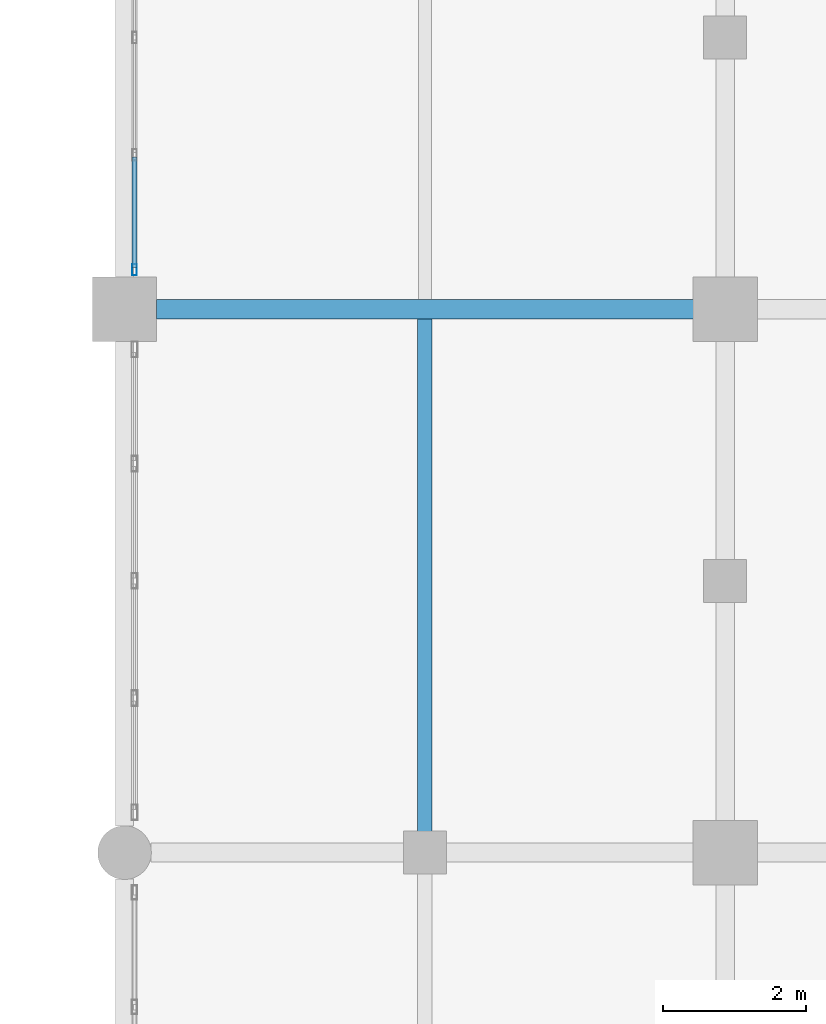
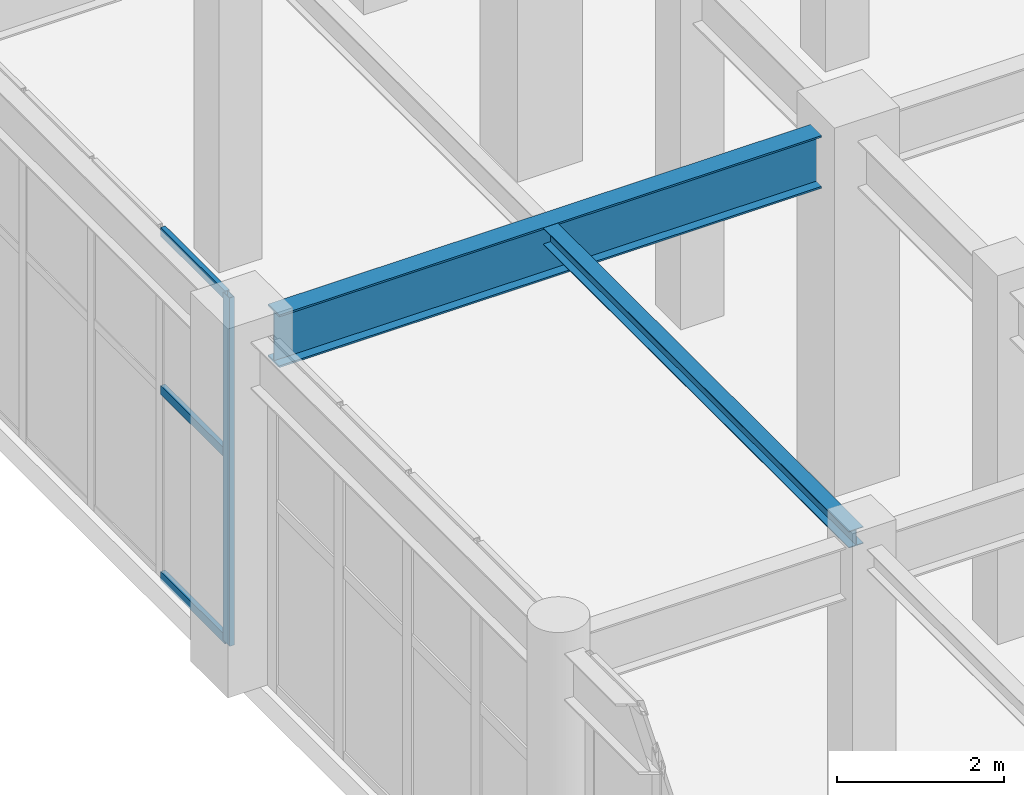
# One storey, part 53 of 139: 4 members, 2 beams, 1 element without a shape of its own.
"""IFC4 building model written with IfcOpenShell, lengths in metres."""

import ifcopenshell
import ifcopenshell.guid

model = None  # the IFC model being written
_history = None  # IfcOwnerHistory: only IFC2X3 demands one
_inside = {}  # id of a spatial element -> (the spatial element, [elements in it])
_under = {}  # id of a project, library or spatial element -> (it, [spatial elements below it])
_declared = {}  # id of a project -> (the project, [libraries it declares])
_typed = {}  # id of a type object -> (the type object, [elements of that type])
_made_of = {}  # id of a material, layer set ... -> (it, [elements and type objects made of it])


def new_model(schema):
    """Start an empty IFC model of exactly this schema.

    Asked for "IFC4X3", IfcOpenShell would pick the latest addendum, in which some entities
    have other attributes; the version numbers below select the first issue.
    IFC2X3 requires an IfcOwnerHistory on every rooted entity: one is made here for all.
    """
    global model, _history
    if schema == "IFC4X3":
        model = ifcopenshell.file(schema_version=(4, 3, 0, 0))
    else:
        model = ifcopenshell.file(schema=schema)
    _inside.clear()
    _under.clear()
    _declared.clear()
    _typed.clear()
    _made_of.clear()
    _history = None
    if model.schema == "IFC2X3":
        org = make("IfcOrganization", Name="unknown")
        user = make(
            "IfcPersonAndOrganization",
            ThePerson=make("IfcPerson", FamilyName="unknown"),
            TheOrganization=org,
        )
        app = make(
            "IfcApplication",
            ApplicationDeveloper=org,
            Version="unknown",
            ApplicationFullName="unknown",
            ApplicationIdentifier="unknown",
        )
        _history = make(
            "IfcOwnerHistory",
            OwningUser=user,
            OwningApplication=app,
            ChangeAction="ADDED",
            CreationDate=0,
        )
    return model


def make(cls, **values):
    """One entity of the class cls with the attributes given. An attribute that is None is left unset."""
    return model.create_entity(
        cls, **{name: value for name, value in values.items() if value is not None}
    )


def rooted(cls, **values):
    """An entity with a GlobalId (a new one), such as an element, a storey or a relation."""
    return make(cls, GlobalId=ifcopenshell.guid.new(), OwnerHistory=_history, **values)


def si_unit(unit_type, name, prefix=None):
    """IfcSIUnit, for example si_unit("LENGTHUNIT", "METRE", prefix="MILLI")."""
    return make("IfcSIUnit", UnitType=unit_type, Prefix=prefix, Name=name)


def assignment(units):
    """IfcUnitAssignment: the units of a project."""
    return None if units is None else make("IfcUnitAssignment", Units=units)


def point(xyz):
    """IfcCartesianPoint."""
    return None if xyz is None else make("IfcCartesianPoint", Coordinates=xyz)


def direction(xyz):
    """IfcDirection."""
    return None if xyz is None else make("IfcDirection", DirectionRatios=xyz)


def frame(location, z_axis=None, x_axis=None):
    """IfcAxis2Placement3D, a coordinate frame: its origin and axes. An axis left out is left unset."""
    return make(
        "IfcAxis2Placement3D",
        Location=point(location),
        Axis=direction(z_axis),
        RefDirection=direction(x_axis),
    )


def frame_2d(location, x_axis=None):
    """IfcAxis2Placement2D, a coordinate frame in the plane: its origin and x axis."""
    return make(
        "IfcAxis2Placement2D", Location=point(location), RefDirection=direction(x_axis)
    )


def origin():
    """The frame at (0, 0, 0) with its axes left unset."""
    return frame((0.0, 0.0, 0.0))


def origin_2d():
    """The frame at (0, 0) in the plane with its x axis left unset."""
    return frame_2d((0.0, 0.0))


def place(relative_to, where):
    """IfcLocalPlacement: puts the frame where relative to a parent placement (None: the world)."""
    return make(
        "IfcLocalPlacement", PlacementRelTo=relative_to, RelativePlacement=where
    )


def context(
    kind, dimensions, precision=None, world=None, true_north=None, identifier=None
):
    """IfcGeometricRepresentationContext, for example the 3D "Model" context."""
    return make(
        "IfcGeometricRepresentationContext",
        ContextIdentifier=identifier,
        ContextType=kind,
        CoordinateSpaceDimension=dimensions,
        Precision=precision,
        WorldCoordinateSystem=world,
        TrueNorth=true_north,
    )


def subcontext(parent, identifier, kind, view, scale=None):
    """IfcGeometricRepresentationSubContext, for example "Body" below "Model"."""
    return make(
        "IfcGeometricRepresentationSubContext",
        ContextIdentifier=identifier,
        ContextType=kind,
        ParentContext=parent,
        TargetScale=scale,
        TargetView=view,
    )


def project(units=None, contexts=None):
    """IfcProject with its units and contexts."""
    return rooted(
        "IfcProject",
        Name="project",
        RepresentationContexts=contexts,
        UnitsInContext=assignment(units),
    )


def spatial(cls, under=None, at=None, **own):
    """A site, building, storey or space (cls), placed at a placement, below another one or the project."""
    s = rooted(cls, ObjectPlacement=at, **own)
    if under is not None:
        _under.setdefault(under.id(), (under, []))[1].append(s)
    return s


def profile(cls, at=None, kind="AREA", **sizes):
    """A parametric profile (cls). Its sizes go by their IFC names, for example OverallWidth=200.0."""
    return make(cls, ProfileType=kind, Position=at, **sizes)


def hollow_rectangle(**sizes):
    """IfcRectangleHollowProfileDef."""
    return profile("IfcRectangleHollowProfileDef", **sizes)


def i_section(**sizes):
    """IfcIShapeProfileDef."""
    return profile("IfcIShapeProfileDef", **sizes)


def extrude(swept, where, along, depth):
    """IfcExtrudedAreaSolid: the profile swept, set in the frame where, extruded along a direction by depth."""
    return make(
        "IfcExtrudedAreaSolid",
        SweptArea=swept,
        Position=where,
        ExtrudedDirection=direction(along),
        Depth=depth,
    )


def shape(context_of_items, identifier, shape_type, items):
    """IfcShapeRepresentation: the items that make up one representation, for example the "Body"."""
    return make(
        "IfcShapeRepresentation",
        ContextOfItems=context_of_items,
        RepresentationIdentifier=identifier,
        RepresentationType=shape_type,
        Items=items,
    )


def material(Name=None, Category=None):
    """IfcMaterial."""
    return make("IfcMaterial", Name=Name, Category=Category)


def layer(
    of_material, thickness, ventilated=None, Name=None, Category=None, Priority=None
):
    """IfcMaterialLayer: one layer of a wall or slab, of a material (None: an air gap)."""
    return make(
        "IfcMaterialLayer",
        Material=of_material,
        LayerThickness=thickness,
        IsVentilated=ventilated,
        Name=Name,
        Category=Category,
        Priority=Priority,
    )


def layer_set(layers, Name=None):
    """IfcMaterialLayerSet."""
    return make("IfcMaterialLayerSet", MaterialLayers=layers, LayerSetName=Name)


def material_profile(
    of_material, cross_section, Name=None, Category=None, Priority=None
):
    """IfcMaterialProfile: a cross section and its material."""
    return make(
        "IfcMaterialProfile",
        Name=Name,
        Material=of_material,
        Profile=cross_section,
        Priority=Priority,
        Category=Category,
    )


def profile_set(profiles, Name=None, composite=None):
    """IfcMaterialProfileSet."""
    return make(
        "IfcMaterialProfileSet",
        Name=Name,
        MaterialProfiles=profiles,
        CompositeProfile=composite,
    )


def made_of(thing, what):
    """Note that an element or type object is made of a material, layer set ...; save() writes the relation."""
    if what is not None:
        _made_of.setdefault(what.id(), (what, []))[1].append(thing)
    return thing


def type_object(cls, material=None, **own):
    """A type object (cls), such as IfcWallType, which elements share."""
    return made_of(rooted(cls, **own), material)


def element(
    cls,
    number,
    at=None,
    inside=None,
    cuts=None,
    type_object=None,
    material=None,
    context=None,
    identifier="Body",
    shape_type=None,
    held_by="IfcProductDefinitionShape",
    body=None,
    shapes=None,
    **own,
):
    """One element of the class cls, such as IfcWall. Its Tag is "e" and its number.

    at: its placement. inside: the storey or other place that contains it. cuts: it is an
    opening in that element (IfcRelVoidsElement). A single representation is given by context,
    identifier, shape_type and body (its items); several are given by shapes. held_by: the class
    of the entity that holds the representations. save() writes the other relations.
    """
    e = rooted(cls, Tag="e%d" % number, ObjectPlacement=at, **own)
    if body is not None:
        shapes = [shape(context, identifier, shape_type, body)]
    if shapes is not None:
        e.Representation = make(held_by, Representations=shapes)
    if inside is not None:
        _inside.setdefault(inside.id(), (inside, []))[1].append(e)
    if cuts is not None:
        rooted(
            "IfcRelVoidsElement", RelatingBuildingElement=cuts, RelatedOpeningElement=e
        )
    if type_object is not None:
        _typed.setdefault(type_object.id(), (type_object, []))[1].append(e)
    return made_of(e, material)


def aggregate(whole, parts):
    """IfcRelAggregates: a whole, such as a stair, and the parts it consists of."""
    return rooted("IfcRelAggregates", RelatingObject=whole, RelatedObjects=parts)


def save(model, path):
    """Write the relations noted so far, then the file.

    IfcRelAggregates (storeys below a building ...), IfcRelContainedInSpatialStructure (elements
    in a storey), IfcRelDefinesByType, IfcRelAssociatesMaterial and IfcRelDeclares: one each for
    every whole, place, type object, material and project.
    """
    for whole, parts in _under.values():
        aggregate(whole, parts)
    for where, things in _inside.values():
        rooted(
            "IfcRelContainedInSpatialStructure",
            RelatedElements=things,
            RelatingStructure=where,
        )
    for kind, things in _typed.values():
        rooted("IfcRelDefinesByType", RelatedObjects=things, RelatingType=kind)
    for what, things in _made_of.values():
        rooted("IfcRelAssociatesMaterial", RelatedObjects=things, RelatingMaterial=what)
    for by, libraries in _declared.values():
        rooted("IfcRelDeclares", RelatingContext=by, RelatedDefinitions=libraries)
    model.write(path)


model = new_model("IFC4")

# Units and contexts
model_context = context("Model", 3, precision=1e-05, world=origin(), true_north=direction((0.0, 1.0)))
body_context = subcontext(model_context, "Body", "Model", "MODEL_VIEW")
ifc_project = project(units=[si_unit("LENGTHUNIT", "METRE"), si_unit("AREAUNIT", "SQUARE_METRE"), si_unit("VOLUMEUNIT", "CUBIC_METRE"), si_unit("PLANEANGLEUNIT", "RADIAN"), si_unit("MASSUNIT", "GRAM", prefix="KILO")], contexts=[model_context])

# Site, building, storey
site_placement = place(None, origin())
site = spatial("IfcSite", under=ifc_project, at=site_placement, CompositionType="ELEMENT")
building_placement = place(site_placement, origin())
building = spatial("IfcBuilding", under=site, at=building_placement, Name="Xicomal Pleat Aquarium", CompositionType="ELEMENT")
storey_placement = place(building_placement, origin())
storey = spatial("IfcBuildingStorey", under=building, at=storey_placement, Name="L01", CompositionType="ELEMENT", Elevation=0.0)

# Beams
ifc_material_1 = material(Name="Structural steel A992 Gr 50", Category="steel")
ifc_material_profile_1 = material_profile(ifc_material_1, i_section(OverallWidth=0.201904296875, OverallDepth=0.2470703125, WebThickness=0.00732421875, FlangeThickness=0.010986328125, at=origin_2d()), Name="IR 250x49")
ifc_profile_set_1 = profile_set([ifc_material_profile_1], Name="Structural steel A992 Gr 50")
beam_type_1 = type_object("IfcBeamType", Name="BM-STL-IR250", PredefinedType="JOIST", material=ifc_profile_set_1)
beam_1_placement = place(storey_placement, frame((48.0, 60.93701171875, 4.9765625), z_axis=(0.0, 1.0, 0.0), x_axis=(-1.0, 0.0, 0.0)))
element("IfcBeam", 1, at=beam_1_placement, inside=storey, type_object=beam_type_1, Name="L01 framing beam FBJ-L01-06-J-1", PredefinedType="JOIST", context=body_context, shape_type="SweptSolid", body=[
    extrude(i_section(OverallWidth=0.201904296875, OverallDepth=0.2470703125, WebThickness=0.00732421875, FlangeThickness=0.010986328125, at=origin_2d()), origin(), (0.0, 0.0, 1.0), 7.325927734375),
])
ifc_material_2 = material(Name="Structural steel A992 Gr 50", Category="steel")
ifc_material_profile_2 = material_profile(ifc_material_2, i_section(OverallWidth=0.26806640625, OverallDepth=0.77001953125, WebThickness=0.015625, FlangeThickness=0.025390625, at=origin_2d()), Name="IR 760x196")
ifc_profile_set_2 = profile_set([ifc_material_profile_2], Name="Structural steel A992 Gr 50")
beam_type_2 = type_object("IfcBeamType", Name="BM-STL-IR760", PredefinedType="BEAM", material=ifc_profile_set_2)
beam_2_placement = place(storey_placement, frame((44.2451171875, 68.39990234375, 4.715087890625), z_axis=(1.0, 0.0, 0.0), x_axis=(0.0, 1.0, 0.0)))
element("IfcBeam", 2, at=beam_2_placement, inside=storey, type_object=beam_type_2, Name="L01 framing beam FGX-L01-06-07-K", PredefinedType="BEAM", context=body_context, shape_type="SweptSolid", body=[
    extrude(i_section(OverallWidth=0.26806640625, OverallDepth=0.77001953125, WebThickness=0.015625, FlangeThickness=0.025390625, at=origin_2d()), origin(), (0.0, 0.0, 1.0), 7.509765625),
])

# Curtain wall, members
ifc_material_3 = material(Name="Bronze anodized aluminium 6063-T6", Category="aluminium")
ifc_layer = layer(ifc_material_3, 0.159912109375)
ifc_layer_set = layer_set([ifc_layer], Name="Bronze anodized aluminium 6063-T6")
curtain_wall_type = type_object("IfcCurtainWallType", Name="CW-SYS-01", PredefinedType="NOTDEFINED", material=ifc_layer_set)
curtain_wall_placement = place(storey_placement, origin())
curtain_wall = element("IfcCurtainWall", 3, at=curtain_wall_placement, inside=storey, type_object=curtain_wall_type, Name="L01 unitised curtain wall CW-L01-033", PredefinedType="NOTDEFINED")
ifc_material_4 = material(Name="Bronze anodized aluminium 6063-T6", Category="aluminium")
ifc_material_profile_3 = material_profile(ifc_material_4, hollow_rectangle(XDim=0.06494140625, YDim=0.159912109375, WallThickness=0.00390625, at=origin_2d()), Name="ALU MULL 65x160")
ifc_profile_set_3 = profile_set([ifc_material_profile_3], Name="Bronze anodized aluminium 6063-T6")
member_type_1 = type_object("IfcMemberType", Name="CWM-65x160", PredefinedType="MULLION", material=ifc_profile_set_3)
member_1_placement = place(storey_placement, frame((43.93994140625, 68.952392578125, 0.0), z_axis=(0.0, 0.0, 1.0), x_axis=(-1.0, 0.0, 0.0)))
member_1 = element("IfcMember", 4, at=member_1_placement, type_object=member_type_1, Name="CW-01 mullion 1", PredefinedType="MULLION", context=body_context, shape_type="SweptSolid", body=[
    extrude(hollow_rectangle(XDim=0.06494140625, YDim=0.159912109375, WallThickness=0.00390625, at=origin_2d()), origin(), (0.0, 0.0, 1.0), 5.10009765625),
])
ifc_material_5 = material(Name="Bronze anodized aluminium 6063-T6", Category="aluminium")
ifc_material_profile_4 = material_profile(ifc_material_5, hollow_rectangle(XDim=0.06494140625, YDim=0.1298828125, WallThickness=0.00390625, at=origin_2d()), Name="ALU TRAN 65x130")
ifc_profile_set_4 = profile_set([ifc_material_profile_4], Name="Bronze anodized aluminium 6063-T6")
member_type_2 = type_object("IfcMemberType", Name="CWT-65x130", PredefinedType="USERDEFINED", material=ifc_profile_set_4)
member_2_placement = place(storey_placement, frame((43.93994140625, 68.985107421875, 0.032470703125), z_axis=(0.0, 1.0, 0.0), x_axis=(-1.0, 0.0, 0.0)))
member_2 = element("IfcMember", 5, at=member_2_placement, type_object=member_type_2, Name="CW-01 transom 1.1", ObjectType="TRANSOM", PredefinedType="USERDEFINED", context=body_context, shape_type="SweptSolid", body=[
    extrude(hollow_rectangle(XDim=0.06494140625, YDim=0.1298828125, WallThickness=0.00390625, at=origin_2d()), origin(), (0.0, 0.0, 1.0), 1.54248046875),
])
member_3_placement = place(storey_placement, frame((43.93994140625, 68.985107421875, 2.75390625), z_axis=(0.0, 1.0, 0.0), x_axis=(-1.0, 0.0, 0.0)))
member_3 = element("IfcMember", 6, at=member_3_placement, type_object=member_type_2, Name="CW-01 transom 1.2", ObjectType="TRANSOM", PredefinedType="USERDEFINED", context=body_context, shape_type="SweptSolid", body=[
    extrude(hollow_rectangle(XDim=0.06494140625, YDim=0.1298828125, WallThickness=0.00390625, at=origin_2d()), origin(), (0.0, 0.0, 1.0), 1.54248046875),
])
member_4_placement = place(storey_placement, frame((43.93994140625, 68.985107421875, 5.0673828125), z_axis=(0.0, 1.0, 0.0), x_axis=(-1.0, 0.0, 0.0)))
member_4 = element("IfcMember", 7, at=member_4_placement, type_object=member_type_2, Name="CW-01 transom 1.3", ObjectType="TRANSOM", PredefinedType="USERDEFINED", context=body_context, shape_type="SweptSolid", body=[
    extrude(hollow_rectangle(XDim=0.06494140625, YDim=0.1298828125, WallThickness=0.00390625, at=origin_2d()), origin(), (0.0, 0.0, 1.0), 1.54248046875),
])
aggregate(curtain_wall, [member_1, member_2, member_3, member_4])

save(model, "model.ifc")
